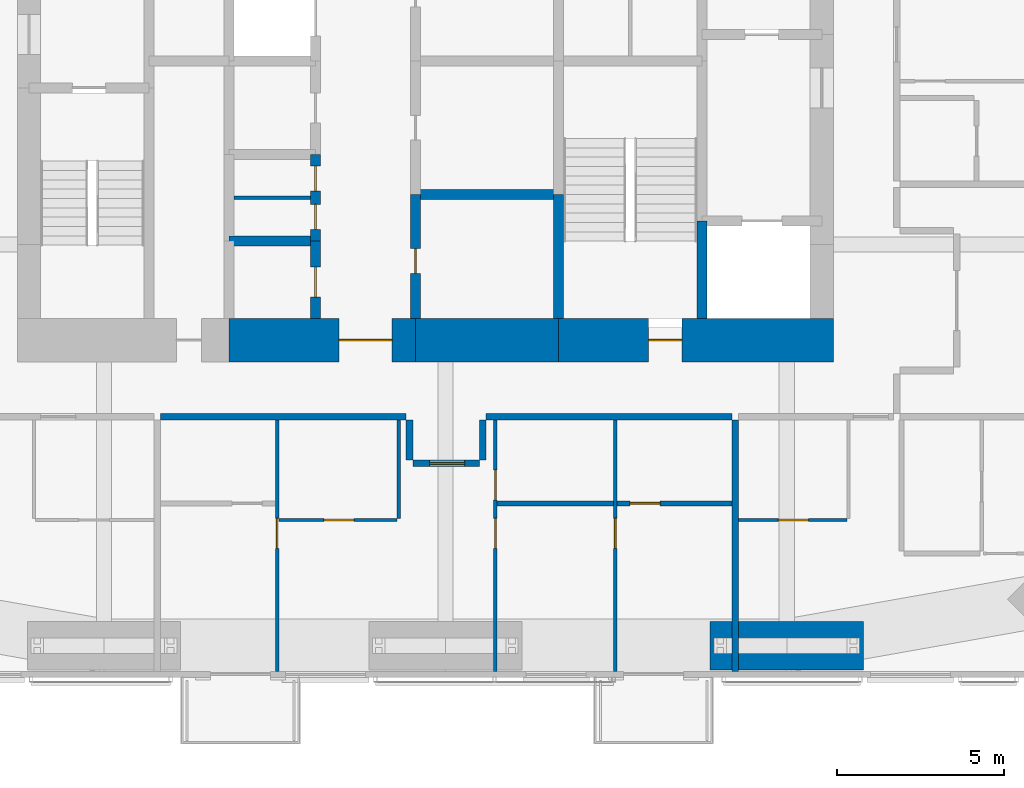
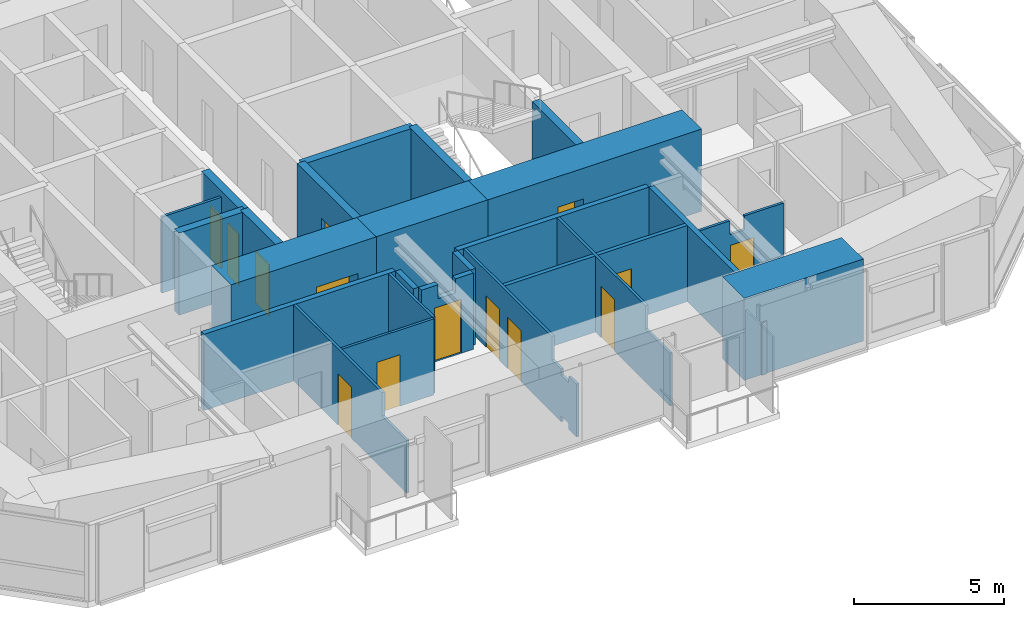
# One storey, part 16 of 22: 26 walls, 14 doors, 14 openings.
"""IFC4 building model written with IfcOpenShell, lengths in metres."""

from ifc_helpers import new_model, si_unit, direction, frame, frame_2d, origin, place, context, subcontext, project, spatial, polyline, rectangle, outline, extrude, material, layer, layer_set, constituent, constituent_set, type_object, element, fill, save


model = new_model("IFC4")

# Units and contexts
model_context = context("Model", 3, precision=1e-05, world=origin(), true_north=direction((0.0, 1.0)))
body_context = subcontext(model_context, "Body", "Model", "MODEL_VIEW")
ifc_project = project(units=[si_unit("LENGTHUNIT", "METRE"), si_unit("AREAUNIT", "SQUARE_METRE"), si_unit("VOLUMEUNIT", "CUBIC_METRE"), si_unit("PLANEANGLEUNIT", "RADIAN"), si_unit("MASSUNIT", "GRAM", prefix="KILO")], contexts=[model_context])

# Site, building, storey
site_placement = place(None, origin())
site = spatial("IfcSite", under=ifc_project, at=site_placement, CompositionType="ELEMENT")
building_placement = place(site_placement, origin())
building = spatial("IfcBuilding", under=site, at=building_placement, Name="Jalousie Tower", CompositionType="ELEMENT")
storey_placement = place(building_placement, frame((0.0, 0.0, 177.800048828125)))
storey = spatial("IfcBuildingStorey", under=building, at=storey_placement, Name="L48", CompositionType="ELEMENT", Elevation=177.800048828125)

# Wall
ifc_material_1 = material(Name="Concrete block ASTM C90", Category="concrete")
ifc_constituent_1 = constituent(ifc_material_1, Name="Body")
ifc_material_2 = material(Name="Render")
ifc_constituent_2 = constituent(ifc_material_2, Name="Finish")
ifc_constituent_set_1 = constituent_set(constituents=[ifc_constituent_1, ifc_constituent_2])
wall_type_1 = type_object("IfcWallType", Name="BATHROOM WALL 150", PredefinedType="PLUMBINGWALL", material=ifc_constituent_set_1)
wall_1_placement = place(storey_placement, frame((34.050048828125, 5.22509765625, 0.0), z_axis=(0.0, 0.0, 1.0), x_axis=(1.0, 0.0, 0.0)))
element("IfcWall", 1, at=wall_1_placement, inside=storey, type_object=wall_type_1, Name="Bathroom Wall 150 L48", PredefinedType="PLUMBINGWALL", context=body_context, shape_type="SweptSolid", body=[
    extrude(rectangle(XDim=3.5, YDim=0.14990234375, at=frame_2d((1.75, 0.0))), origin(), (0.0, 0.0, 1.0), 3.10986328125),
])

# Wall, opening, door
wall_2_placement = place(storey_placement, frame((37.64990234375, 5.22509765625, 0.0), z_axis=(0.0, 0.0, 1.0), x_axis=(1.0, 0.0, 0.0)))
wall_2 = element("IfcWall", 2, at=wall_2_placement, inside=storey, type_object=wall_type_1, Name="Bathroom Wall 150 L48", PredefinedType="PLUMBINGWALL", context=body_context, shape_type="SweptSolid", body=[
    extrude(rectangle(XDim=3.4501953125, YDim=0.14990234375, at=frame_2d((1.72509765625, 0.0))), origin(), (0.0, 0.0, 1.0), 3.10986328125),
])
opening_1_placement = place(wall_2_placement, frame((0.39990234375, 0.0, 0.0)))
opening_1 = element("IfcOpeningElement", 3, at=opening_1_placement, cuts=wall_2, Name="Opening D3", PredefinedType="OPENING", context=body_context, shape_type="SweptSolid", body=[
    extrude(rectangle(XDim=0.89990234375, YDim=2.10009765625, at=frame_2d((0.449951171875, 1.050048828125))), frame((0.0, 0.0849609375, 0.0), z_axis=(0.0, -1.0, 0.0), x_axis=(1.0, 0.0, 0.0)), (0.0, 0.0, 1.0), 0.169921875),
])
ifc_material_3 = material(Name="Timber door", Category="wood")
door_type_1 = type_object("IfcDoorType", Name="BATHROOM DOOR 900", OperationType="SINGLE_SWING_LEFT", PredefinedType="DOOR", material=ifc_material_3)
door_1_placement = place(opening_1_placement, origin())
door_1 = element("IfcDoor", 4, at=door_1_placement, inside=storey, type_object=door_type_1, Name="Apartment 4802 bedroom 3 bathroom door", OperationType="SINGLE_SWING_LEFT", OverallHeight=2.10009765625, OverallWidth=0.89990234375, PredefinedType="DOOR", context=body_context, shape_type="SweptSolid", body=[
    extrude(rectangle(XDim=0.89990234375, YDim=2.10009765625, at=frame_2d((0.449951171875, 1.050048828125))), frame((0.0, 0.02490234375, 0.0), z_axis=(0.0, -1.0, 0.0), x_axis=(1.0, 0.0, 0.0)), (0.0, 0.0, 1.0), 0.050048828125),
])
fill(opening_1, door_1)

ifc_material_4 = material(Name="Concrete f'c 120 MPa", Category="concrete")
ifc_layer_1 = layer(ifc_material_4, 1.300048828125)
ifc_layer_set_1 = layer_set([ifc_layer_1], Name="Concrete f'c 120 MPa")
wall_type_2 = type_object("IfcWallType", Name="CORE WALL 1300", PredefinedType="SHEAR", material=ifc_layer_set_1)
wall_3_placement = place(storey_placement, frame((26.0, 10.125, 0.0), z_axis=(0.0, 0.0, 1.0), x_axis=(1.0, 0.0, 0.0)))
wall_3 = element("IfcWall", 5, at=wall_3_placement, inside=storey, type_object=wall_type_2, Name="Core wall SB L48", PredefinedType="SHEAR", context=body_context, shape_type="SweptSolid", body=[
    extrude(rectangle(XDim=5.60009765625, YDim=1.300048828125, at=frame_2d((2.800048828125, 0.0))), origin(), (0.0, 0.0, 1.0), 3.349853515625),
])
opening_2_placement = place(wall_3_placement, frame((3.300048828125, 0.0, 0.0)))
opening_2 = element("IfcOpeningElement", 6, at=opening_2_placement, cuts=wall_3, Name="Opening D15", PredefinedType="OPENING", context=body_context, shape_type="SweptSolid", body=[
    extrude(rectangle(XDim=1.60009765625, YDim=2.10009765625, at=frame_2d((0.800048828125, 1.050048828125))), frame((0.0, 0.659912109375, 0.0), z_axis=(0.0, -1.0, 0.0), x_axis=(1.0, 0.0, 0.0)), (0.0, 0.0, 1.0), 1.320068359375),
])
ifc_material_5 = material(Name="Steel fire door", Category="steel")
door_type_2 = type_object("IfcDoorType", Name="LIFT LOBBY DOOR 1600", OperationType="DOUBLE_DOOR_SINGLE_SWING", PredefinedType="DOOR", material=ifc_material_5)
door_2_placement = place(opening_2_placement, origin())
door_2 = element("IfcDoor", 7, at=door_2_placement, inside=storey, type_object=door_type_2, Name="Lift lobby south door", OperationType="DOUBLE_DOOR_SINGLE_SWING", OverallHeight=2.10009765625, OverallWidth=1.60009765625, PredefinedType="DOOR", context=body_context, shape_type="SweptSolid", body=[
    extrude(rectangle(XDim=1.60009765625, YDim=2.10009765625, at=frame_2d((0.800048828125, 1.050048828125))), frame((0.0, 0.02490234375, 0.0), z_axis=(0.0, -1.0, 0.0), x_axis=(1.0, 0.0, 0.0)), (0.0, 0.0, 1.0), 0.050048828125),
])
fill(opening_2, door_2)

# Wall
wall_4_placement = place(storey_placement, frame((31.60009765625, 10.125, 0.0), z_axis=(0.0, 0.0, 1.0), x_axis=(1.0, 0.0, 0.0)))
element("IfcWall", 8, at=wall_4_placement, inside=storey, type_object=wall_type_2, Name="Core wall SC L48", PredefinedType="SHEAR", context=body_context, shape_type="SweptSolid", body=[
    extrude(rectangle(XDim=4.2998046875, YDim=1.300048828125, at=frame_2d((2.14990234375, 0.0))), origin(), (0.0, 0.0, 1.0), 3.349853515625),
])

# Wall, opening, door
wall_5_placement = place(storey_placement, frame((35.89990234375, 10.125, 0.0), z_axis=(0.0, 0.0, 1.0), x_axis=(1.0, 0.0, 0.0)))
wall_5 = element("IfcWall", 9, at=wall_5_placement, inside=storey, type_object=wall_type_2, Name="Core wall SD L48", PredefinedType="SHEAR", context=body_context, shape_type="SweptSolid", body=[
    extrude(rectangle(XDim=8.25, YDim=1.300048828125, at=frame_2d((4.125, 0.0))), origin(), (0.0, 0.0, 1.0), 3.349853515625),
])
opening_3_placement = place(wall_5_placement, frame((2.699951171875, 0.0, 0.0)))
opening_3 = element("IfcOpeningElement", 10, at=opening_3_placement, cuts=wall_5, Name="Opening D10", PredefinedType="OPENING", context=body_context, shape_type="SweptSolid", body=[
    extrude(rectangle(XDim=1.0, YDim=2.10009765625, at=frame_2d((0.5, 1.050048828125))), frame((0.0, 0.659912109375, 0.0), z_axis=(0.0, -1.0, 0.0), x_axis=(1.0, 0.0, 0.0)), (0.0, 0.0, 1.0), 1.320068359375),
])
ifc_material_6 = material(Name="Steel fire door", Category="steel")
door_type_3 = type_object("IfcDoorType", Name="STAIR DOOR 1000", OperationType="SINGLE_SWING_LEFT", PredefinedType="DOOR", material=ifc_material_6)
door_3_placement = place(opening_3_placement, origin())
door_3 = element("IfcDoor", 11, at=door_3_placement, inside=storey, type_object=door_type_3, Name="Exit stair C door", OperationType="SINGLE_SWING_RIGHT", OverallHeight=2.10009765625, OverallWidth=1.0, PredefinedType="DOOR", context=body_context, shape_type="SweptSolid", body=[
    extrude(rectangle(XDim=1.0, YDim=2.10009765625, at=frame_2d((0.5, 1.050048828125))), frame((0.0, 0.02490234375, 0.0), z_axis=(0.0, -1.0, 0.0), x_axis=(1.0, 0.0, 0.0)), (0.0, 0.0, 1.0), 0.050048828125),
])
fill(opening_3, door_3)

ifc_material_7 = material(Name="Concrete f'c 120 MPa", Category="concrete")
ifc_layer_2 = layer(ifc_material_7, 0.300048828125)
ifc_layer_set_2 = layer_set([ifc_layer_2], Name="Concrete f'c 120 MPa")
wall_type_3 = type_object("IfcWallType", Name="CORE WALL 300", PredefinedType="SHEAR", material=ifc_layer_set_2)
wall_6_placement = place(storey_placement, frame((28.60009765625, 10.77490234375, 0.0), z_axis=(0.0, 0.0, 1.0), x_axis=(0.0, 1.0, 0.0)))
wall_6 = element("IfcWall", 12, at=wall_6_placement, inside=storey, type_object=wall_type_3, Name="Core wall X28.6A L48", PredefinedType="SHEAR", context=body_context, shape_type="SweptSolid", body=[
    extrude(rectangle(XDim=2.3251953125, YDim=0.300048828125, at=frame_2d((1.16259765625, 0.0))), origin(), (0.0, 0.0, 1.0), 3.349853515625),
])
opening_4_placement = place(wall_6_placement, frame((0.637451171875, 0.0, 0.0)))
opening_4 = element("IfcOpeningElement", 13, at=opening_4_placement, cuts=wall_6, Name="Opening D24", PredefinedType="OPENING", context=body_context, shape_type="SweptSolid", body=[
    extrude(rectangle(XDim=0.89990234375, YDim=2.10009765625, at=frame_2d((0.449951171875, 1.050048828125))), frame((0.0, 0.159912109375, 0.0), z_axis=(0.0, -1.0, 0.0), x_axis=(1.0, 0.0, 0.0)), (0.0, 0.0, 1.0), 0.320068359375),
])
ifc_material_8 = material(Name="Steel fire door", Category="steel")
door_type_4 = type_object("IfcDoorType", Name="CORE ROOM DOOR 900", OperationType="SINGLE_SWING_LEFT", PredefinedType="DOOR", material=ifc_material_8)
door_4_placement = place(opening_4_placement, origin())
door_4 = element("IfcDoor", 14, at=door_4_placement, inside=storey, type_object=door_type_4, Name="Housekeeping store door", OperationType="SINGLE_SWING_RIGHT", OverallHeight=2.10009765625, OverallWidth=0.89990234375, PredefinedType="DOOR", context=body_context, shape_type="SweptSolid", body=[
    extrude(rectangle(XDim=0.89990234375, YDim=2.10009765625, at=frame_2d((0.449951171875, 1.050048828125))), frame((0.0, 0.02490234375, 0.0), z_axis=(0.0, -1.0, 0.0), x_axis=(1.0, 0.0, 0.0)), (0.0, 0.0, 1.0), 0.050048828125),
])
fill(opening_4, door_4)

# Wall, openings, doors
wall_7_placement = place(storey_placement, frame((28.60009765625, 13.10009765625, 0.0), z_axis=(0.0, 0.0, 1.0), x_axis=(0.0, 1.0, 0.0)))
wall_7 = element("IfcWall", 15, at=wall_7_placement, inside=storey, type_object=wall_type_3, Name="Core wall X28.6B L48", PredefinedType="SHEAR", context=body_context, shape_type="SweptSolid", body=[
    extrude(rectangle(XDim=2.599853515625, YDim=0.300048828125, at=frame_2d((1.2998046875, 0.0))), origin(), (0.0, 0.0, 1.0), 3.349853515625),
])
opening_5_placement = place(wall_7_placement, frame((0.35009765625, 0.0, 0.0)))
opening_5 = element("IfcOpeningElement", 16, at=opening_5_placement, cuts=wall_7, Name="Opening D27", PredefinedType="OPENING", context=body_context, shape_type="SweptSolid", body=[
    extrude(rectangle(XDim=0.75, YDim=2.10009765625, at=frame_2d((0.375, 1.050048828125))), frame((0.0, 0.159912109375, 0.0), z_axis=(0.0, -1.0, 0.0), x_axis=(1.0, 0.0, 0.0)), (0.0, 0.0, 1.0), 0.320068359375),
])
opening_6_placement = place(wall_7_placement, frame((1.5, 0.0, 0.0)))
opening_6 = element("IfcOpeningElement", 17, at=opening_6_placement, cuts=wall_7, Name="Opening D27", PredefinedType="OPENING", context=body_context, shape_type="SweptSolid", body=[
    extrude(rectangle(XDim=0.75, YDim=2.10009765625, at=frame_2d((0.375, 1.050048828125))), frame((0.0, 0.159912109375, 0.0), z_axis=(0.0, -1.0, 0.0), x_axis=(1.0, 0.0, 0.0)), (0.0, 0.0, 1.0), 0.320068359375),
])
ifc_material_9 = material(Name="Steel fire door", Category="steel")
door_type_5 = type_object("IfcDoorType", Name="CORE ROOM DOOR 750", OperationType="SINGLE_SWING_LEFT", PredefinedType="DOOR", material=ifc_material_9)
door_5_placement = place(opening_5_placement, origin())
door_5 = element("IfcDoor", 18, at=door_5_placement, inside=storey, type_object=door_type_5, Name="Staff WC door", OperationType="SINGLE_SWING_RIGHT", OverallHeight=2.10009765625, OverallWidth=0.75, PredefinedType="DOOR", context=body_context, shape_type="SweptSolid", body=[
    extrude(rectangle(XDim=0.75, YDim=2.10009765625, at=frame_2d((0.375, 1.050048828125))), frame((0.0, 0.02490234375, 0.0), z_axis=(0.0, -1.0, 0.0), x_axis=(1.0, 0.0, 0.0)), (0.0, 0.0, 1.0), 0.050048828125),
])
fill(opening_5, door_5)
door_6_placement = place(opening_6_placement, origin())
door_6 = element("IfcDoor", 19, at=door_6_placement, inside=storey, type_object=door_type_5, Name="Store door", OperationType="SINGLE_SWING_LEFT", OverallHeight=2.10009765625, OverallWidth=0.75, PredefinedType="DOOR", context=body_context, shape_type="SweptSolid", body=[
    extrude(rectangle(XDim=0.75, YDim=2.10009765625, at=frame_2d((0.375, 1.050048828125))), frame((0.0, 0.02490234375, 0.0), z_axis=(0.0, -1.0, 0.0), x_axis=(1.0, 0.0, 0.0)), (0.0, 0.0, 1.0), 0.050048828125),
])
fill(opening_6, door_6)

# Wall, opening, door
wall_8_placement = place(storey_placement, frame((31.60009765625, 10.77490234375, 0.0), z_axis=(0.0, 0.0, 1.0), x_axis=(0.0, 1.0, 0.0)))
wall_8 = element("IfcWall", 20, at=wall_8_placement, inside=storey, type_object=wall_type_3, Name="Core wall X31.6A L48", PredefinedType="SHEAR", context=body_context, shape_type="SweptSolid", body=[
    extrude(rectangle(XDim=3.72509765625, YDim=0.300048828125, at=frame_2d((1.862548828125, 0.0))), origin(), (0.0, 0.0, 1.0), 3.349853515625),
])
opening_7_placement = place(wall_8_placement, frame((1.35009765625, 0.0, 0.0)))
opening_7 = element("IfcOpeningElement", 21, at=opening_7_placement, cuts=wall_8, Name="Opening D16", PredefinedType="OPENING", context=body_context, shape_type="SweptSolid", body=[
    extrude(rectangle(XDim=0.75, YDim=2.10009765625, at=frame_2d((0.375, 1.050048828125))), frame((0.0, 0.159912109375, 0.0), z_axis=(0.0, -1.0, 0.0), x_axis=(1.0, 0.0, 0.0)), (0.0, 0.0, 1.0), 0.320068359375),
])
ifc_material_10 = material(Name="Steel fire door", Category="steel")
door_type_6 = type_object("IfcDoorType", Name="RISER DOOR 750", OperationType="SINGLE_SWING_LEFT", PredefinedType="DOOR", material=ifc_material_10)
door_7_placement = place(opening_7_placement, frame((0.75, 0.0, 0.0), z_axis=(0.0, 0.0, 1.0), x_axis=(-1.0, 0.0, 0.0)))
door_7 = element("IfcDoor", 22, at=door_7_placement, inside=storey, type_object=door_type_6, Name="Refuse Room door", OperationType="SINGLE_SWING_RIGHT", OverallHeight=2.10009765625, OverallWidth=0.75, PredefinedType="DOOR", context=body_context, shape_type="SweptSolid", body=[
    extrude(rectangle(XDim=0.75, YDim=2.10009765625, at=frame_2d((0.375, 1.050048828125))), frame((0.0, 0.02490234375, 0.0), z_axis=(0.0, -1.0, 0.0), x_axis=(1.0, 0.0, 0.0)), (0.0, 0.0, 1.0), 0.050048828125),
])
fill(opening_7, door_7)

# Walls
wall_9_placement = place(storey_placement, frame((35.89990234375, 10.77490234375, 0.0), z_axis=(0.0, 0.0, 1.0), x_axis=(0.0, 1.0, 0.0)))
element("IfcWall", 23, at=wall_9_placement, inside=storey, type_object=wall_type_3, Name="Core wall X35.9A L48", PredefinedType="SHEAR", context=body_context, shape_type="SweptSolid", body=[
    extrude(rectangle(XDim=3.72509765625, YDim=0.300048828125, at=frame_2d((1.862548828125, 0.0))), origin(), (0.0, 0.0, 1.0), 3.349853515625),
])
wall_10_placement = place(storey_placement, frame((40.199951171875, 10.77490234375, 0.0), z_axis=(0.0, 0.0, 1.0), x_axis=(0.0, 1.0, 0.0)))
element("IfcWall", 24, at=wall_10_placement, inside=storey, type_object=wall_type_3, Name="Core wall X40.2A L48", PredefinedType="SHEAR", context=body_context, shape_type="SweptSolid", body=[
    extrude(rectangle(XDim=2.925048828125, YDim=0.300048828125, at=frame_2d((1.46240234375, 0.0))), origin(), (0.0, 0.0, 1.0), 3.349853515625),
])
wall_11_placement = place(storey_placement, frame((26.0, 13.10009765625, 0.0), z_axis=(0.0, 0.0, 1.0), x_axis=(1.0, 0.0, 0.0)))
element("IfcWall", 25, at=wall_11_placement, inside=storey, type_object=wall_type_3, Name="Core wall Y26-13.1 L48", PredefinedType="SHEAR", context=body_context, shape_type="SweptSolid", body=[
    extrude(rectangle(XDim=2.60009765625, YDim=0.300048828125, at=frame_2d((1.300048828125, 0.0))), origin(), (0.0, 0.0, 1.0), 3.349853515625),
])
wall_12_placement = place(storey_placement, frame((31.60009765625, 14.5, 0.0), z_axis=(0.0, 0.0, 1.0), x_axis=(1.0, 0.0, 0.0)))
element("IfcWall", 26, at=wall_12_placement, inside=storey, type_object=wall_type_3, Name="Core wall Y31.6-14.5 L48", PredefinedType="SHEAR", context=body_context, shape_type="SweptSolid", body=[
    extrude(rectangle(XDim=4.2998046875, YDim=0.300048828125, at=frame_2d((2.14990234375, 0.0))), origin(), (0.0, 0.0, 1.0), 3.349853515625),
])
ifc_material_11 = material(Name="Concrete block ASTM C90", Category="concrete")
ifc_constituent_3 = constituent(ifc_material_11, Name="Body")
ifc_material_12 = material(Name="Render")
ifc_constituent_4 = constituent(ifc_material_12, Name="Finish")
ifc_constituent_set_2 = constituent_set(constituents=[ifc_constituent_3, ifc_constituent_4])
wall_type_4 = type_object("IfcWallType", Name="CORRIDOR WALL 200", PredefinedType="PARTITIONING", material=ifc_constituent_set_2)
for number, where, z_axis, x_axis, name in (
    (27, (23.949951171875, 7.824951171875, 0.0), (0.0, 0.0, 1.0), (1.0, 0.0, 0.0), "Corridor Wall 200 L48"),
    (28, (33.72509765625, 7.824951171875, 0.0), (0.0, 0.0, 1.0), (1.0, 0.0, 0.0), "Corridor Wall 200 L48"),
):
    element("IfcWall", number, at=place(storey_placement, frame(where, z_axis=z_axis, x_axis=x_axis)), inside=storey, type_object=wall_type_4, Name=name, PredefinedType="PARTITIONING", context=body_context, shape_type="SweptSolid", body=[
        extrude(rectangle(XDim=7.375, YDim=0.199951171875, at=frame_2d((3.6875, 0.0))), origin(), (0.0, 0.0, 1.0), 3.10986328125),
    ])

# Wall, opening, door
wall_13_placement = place(storey_placement, frame((31.52490234375, 6.425048828125, 0.0), z_axis=(0.0, 0.0, 1.0), x_axis=(1.0, 0.0, 0.0)))
wall_13 = element("IfcWall", 29, at=wall_13_placement, inside=storey, type_object=wall_type_4, Name="Corridor Wall 200 L48", PredefinedType="PARTITIONING", context=body_context, shape_type="SweptSolid", body=[
    extrude(outline(polyline([(0.0, 0.0), (2.0, 0.0), (2.0, 3.10986328125), (1.312255859375, 3.10986328125), (1.312255859375, 2.541015625), (0.6376953125, 2.541015625), (0.6376953125, 3.10986328125), (0.0, 3.10986328125), (0.0, 0.0)])), frame((0.0, 0.10009765625, 0.0), z_axis=(0.0, -1.0, 0.0), x_axis=(1.0, 0.0, 0.0)), (0.0, 0.0, 1.0), 0.199951171875),
])
opening_8_placement = place(wall_13_placement, frame((0.5, 0.0, 0.0)))
opening_8 = element("IfcOpeningElement", 30, at=opening_8_placement, cuts=wall_13, Name="Opening D1", PredefinedType="OPENING", context=body_context, shape_type="SweptSolid", body=[
    extrude(rectangle(XDim=1.050048828125, YDim=2.199951171875, at=frame_2d((0.52490234375, 1.10009765625))), frame((0.0, 0.10986328125, 0.0), z_axis=(0.0, -1.0, 0.0), x_axis=(1.0, 0.0, 0.0)), (0.0, 0.0, 1.0), 0.219970703125),
])
ifc_material_13 = material(Name="Timber fire door", Category="wood")
door_type_7 = type_object("IfcDoorType", Name="APARTMENT ENTRANCE DOOR 1050", OperationType="SINGLE_SWING_LEFT", PredefinedType="DOOR", material=ifc_material_13)
door_8_placement = place(opening_8_placement, frame((1.050048828125, 0.0, 0.0), z_axis=(0.0, 0.0, 1.0), x_axis=(-1.0, 0.0, 0.0)))
door_8 = element("IfcDoor", 31, at=door_8_placement, inside=storey, type_object=door_type_7, Name="Apartment 4802 entrance", OperationType="SINGLE_SWING_RIGHT", OverallHeight=2.199951171875, OverallWidth=1.050048828125, PredefinedType="DOOR", context=body_context, shape_type="SweptSolid", body=[
    extrude(rectangle(XDim=1.050048828125, YDim=2.199951171875, at=frame_2d((0.52490234375, 1.10009765625))), frame((0.0, 0.02490234375, 0.0), z_axis=(0.0, -1.0, 0.0), x_axis=(1.0, 0.0, 0.0)), (0.0, 0.0, 1.0), 0.050048828125),
])
fill(opening_8, door_8)

# Walls
for number, where, z_axis, x_axis, name in (
    (32, (31.425048828125, 7.72509765625, 0.0), (0.0, 0.0, 1.0), (0.0, -1.0, 0.0), "Corridor Wall 200 L48"),
    (33, (33.625, 7.72509765625, 0.0), (0.0, 0.0, 1.0), (0.0, -1.0, 0.0), "Corridor Wall 200 L48"),
):
    element("IfcWall", number, at=place(storey_placement, frame(where, z_axis=z_axis, x_axis=x_axis)), inside=storey, type_object=wall_type_4, Name=name, PredefinedType="PARTITIONING", context=body_context, shape_type="SweptSolid", body=[
        extrude(rectangle(XDim=1.2001953125, YDim=0.199951171875, at=frame_2d((0.60009765625, 0.0))), origin(), (0.0, 0.0, 1.0), 3.10986328125),
    ])

# Wall, opening, door
ifc_material_14 = material(Name="Gypsum board", Category="gypsum")
ifc_constituent_5 = constituent(ifc_material_14, Name="Body")
ifc_material_15 = material(Name="Light-gauge steel studs ASTM A653 SS Grade 33", Category="steel")
ifc_constituent_6 = constituent(ifc_material_15, Name="Framing")
ifc_constituent_set_3 = constituent_set(constituents=[ifc_constituent_5, ifc_constituent_6])
wall_type_5 = type_object("IfcWallType", Name="PARTITION 100", PredefinedType="PARTITIONING", material=ifc_constituent_set_3)
wall_14_placement = place(storey_placement, frame((27.449951171875, 0.175048828125, 0.0), z_axis=(0.0, 0.0, 1.0), x_axis=(0.0, 1.0, 0.0)))
wall_14 = element("IfcWall", 34, at=wall_14_placement, inside=storey, type_object=wall_type_5, Name="Partition 100 L48", PredefinedType="PARTITIONING", context=body_context, shape_type="SweptSolid", body=[
    extrude(outline(polyline([(0.0, 0.0), (7.550048828125, 0.0), (7.550048828125, 3.10986328125), (1.635009765625, 3.10986328125), (1.635009765625, 2.14990234375), (0.0, 2.14990234375), (0.0, 3.10986328125), (0.0, 0.0)])), frame((0.0, 0.050048828125, 0.0), z_axis=(0.0, -1.0, 0.0), x_axis=(1.0, 0.0, 0.0)), (0.0, 0.0, 1.0), 0.10009765625),
])
opening_9_placement = place(wall_14_placement, frame((3.699951171875, 0.0, 0.0)))
opening_9 = element("IfcOpeningElement", 35, at=opening_9_placement, cuts=wall_14, Name="Opening D2", PredefinedType="OPENING", context=body_context, shape_type="SweptSolid", body=[
    extrude(rectangle(XDim=0.89990234375, YDim=2.10009765625, at=frame_2d((0.449951171875, 1.050048828125))), frame((0.0, 0.06005859375, 0.0), z_axis=(0.0, -1.0, 0.0), x_axis=(1.0, 0.0, 0.0)), (0.0, 0.0, 1.0), 0.1201171875),
])
ifc_material_16 = material(Name="Timber door", Category="wood")
door_type_8 = type_object("IfcDoorType", Name="BEDROOM DOOR 900", OperationType="SINGLE_SWING_LEFT", PredefinedType="DOOR", material=ifc_material_16)
door_9_placement = place(opening_9_placement, origin())
door_9 = element("IfcDoor", 36, at=door_9_placement, inside=storey, type_object=door_type_8, Name="Apartment 4802 bedroom 1 door", OperationType="SINGLE_SWING_RIGHT", OverallHeight=2.10009765625, OverallWidth=0.89990234375, PredefinedType="DOOR", context=body_context, shape_type="SweptSolid", body=[
    extrude(rectangle(XDim=0.89990234375, YDim=2.10009765625, at=frame_2d((0.449951171875, 1.050048828125))), frame((0.0, 0.02490234375, 0.0), z_axis=(0.0, -1.0, 0.0), x_axis=(1.0, 0.0, 0.0)), (0.0, 0.0, 1.0), 0.050048828125),
])
fill(opening_9, door_9)

# Wall, openings, doors
wall_15_placement = place(storey_placement, frame((34.0, 0.175048828125, 0.0), z_axis=(0.0, 0.0, 1.0), x_axis=(0.0, 1.0, 0.0)))
wall_15 = element("IfcWall", 37, at=wall_15_placement, inside=storey, type_object=wall_type_5, Name="Partition 100 L48", PredefinedType="PARTITIONING", context=body_context, shape_type="SweptSolid", body=[
    extrude(outline(polyline([(0.52880859375, 2.14990234375), (0.0, 2.14990234375), (0.0, 0.0), (0.52880859375, 0.0), (0.52880859375, 0.248291015625), (1.021240234375, 0.248291015625), (1.021240234375, 0.0), (7.550048828125, 0.0), (7.550048828125, 3.10986328125), (1.635009765625, 3.10986328125), (1.635009765625, 2.14990234375), (1.021240234375, 2.14990234375), (1.021240234375, 1.901611328125), (0.52880859375, 1.901611328125), (0.52880859375, 2.14990234375)])), frame((0.0, 0.050048828125, 0.0), z_axis=(0.0, -1.0, 0.0), x_axis=(1.0, 0.0, 0.0)), (0.0, 0.0, 1.0), 0.10009765625),
])
opening_10_placement = place(wall_15_placement, frame((3.699951171875, 0.0, 0.0)))
opening_10 = element("IfcOpeningElement", 38, at=opening_10_placement, cuts=wall_15, Name="Opening D2", PredefinedType="OPENING", context=body_context, shape_type="SweptSolid", body=[
    extrude(rectangle(XDim=0.89990234375, YDim=2.10009765625, at=frame_2d((0.449951171875, 1.050048828125))), frame((0.0, 0.06005859375, 0.0), z_axis=(0.0, -1.0, 0.0), x_axis=(1.0, 0.0, 0.0)), (0.0, 0.0, 1.0), 0.1201171875),
])
opening_11_placement = place(wall_15_placement, frame((5.14990234375, 0.0, 0.0)))
opening_11 = element("IfcOpeningElement", 39, at=opening_11_placement, cuts=wall_15, Name="Opening D7", PredefinedType="OPENING", context=body_context, shape_type="SweptSolid", body=[
    extrude(rectangle(XDim=0.89990234375, YDim=2.10009765625, at=frame_2d((0.449951171875, 1.050048828125))), frame((0.0, 0.06005859375, 0.0), z_axis=(0.0, -1.0, 0.0), x_axis=(1.0, 0.0, 0.0)), (0.0, 0.0, 1.0), 0.1201171875),
])
door_10_placement = place(opening_10_placement, frame((0.89990234375, 0.0, 0.0), z_axis=(0.0, 0.0, 1.0), x_axis=(-1.0, 0.0, 0.0)))
door_10 = element("IfcDoor", 40, at=door_10_placement, inside=storey, type_object=door_type_8, Name="Apartment 4802 bedroom 2 door", OperationType="SINGLE_SWING_LEFT", OverallHeight=2.10009765625, OverallWidth=0.89990234375, PredefinedType="DOOR", context=body_context, shape_type="SweptSolid", body=[
    extrude(rectangle(XDim=0.89990234375, YDim=2.10009765625, at=frame_2d((0.449951171875, 1.050048828125))), frame((0.0, 0.02490234375, 0.0), z_axis=(0.0, -1.0, 0.0), x_axis=(1.0, 0.0, 0.0)), (0.0, 0.0, 1.0), 0.050048828125),
])
fill(opening_10, door_10)
ifc_material_17 = material(Name="Timber door", Category="wood")
door_type_9 = type_object("IfcDoorType", Name="INTERNAL DOOR 900", OperationType="SINGLE_SWING_LEFT", PredefinedType="DOOR", material=ifc_material_17)
door_11_placement = place(opening_11_placement, frame((0.89990234375, 0.0, 0.0), z_axis=(0.0, 0.0, 1.0), x_axis=(-1.0, 0.0, 0.0)))
door_11 = element("IfcDoor", 41, at=door_11_placement, inside=storey, type_object=door_type_9, Name="Apartment 4802 bathroom door", OperationType="SINGLE_SWING_RIGHT", OverallHeight=2.10009765625, OverallWidth=0.89990234375, PredefinedType="DOOR", context=body_context, shape_type="SweptSolid", body=[
    extrude(rectangle(XDim=0.89990234375, YDim=2.10009765625, at=frame_2d((0.449951171875, 1.050048828125))), frame((0.0, 0.02490234375, 0.0), z_axis=(0.0, -1.0, 0.0), x_axis=(1.0, 0.0, 0.0)), (0.0, 0.0, 1.0), 0.050048828125),
])
fill(opening_11, door_11)

# Wall, opening, door
wall_16_placement = place(storey_placement, frame((37.60009765625, 0.175048828125, 0.0), z_axis=(0.0, 0.0, 1.0), x_axis=(0.0, 1.0, 0.0)))
wall_16 = element("IfcWall", 42, at=wall_16_placement, inside=storey, type_object=wall_type_5, Name="Partition 100 L48", PredefinedType="PARTITIONING", context=body_context, shape_type="SweptSolid", body=[
    extrude(outline(polyline([(0.0, 0.0), (7.550048828125, 0.0), (7.550048828125, 3.10986328125), (1.635009765625, 3.10986328125), (1.635009765625, 2.14990234375), (0.0, 2.14990234375), (0.0, 3.10986328125), (0.0, 0.0)])), frame((0.0, 0.050048828125, 0.0), z_axis=(0.0, -1.0, 0.0), x_axis=(1.0, 0.0, 0.0)), (0.0, 0.0, 1.0), 0.10009765625),
])
opening_12_placement = place(wall_16_placement, frame((3.699951171875, 0.0, 0.0)))
opening_12 = element("IfcOpeningElement", 43, at=opening_12_placement, cuts=wall_16, Name="Opening D2", PredefinedType="OPENING", context=body_context, shape_type="SweptSolid", body=[
    extrude(rectangle(XDim=0.89990234375, YDim=2.10009765625, at=frame_2d((0.449951171875, 1.050048828125))), frame((0.0, 0.06005859375, 0.0), z_axis=(0.0, -1.0, 0.0), x_axis=(1.0, 0.0, 0.0)), (0.0, 0.0, 1.0), 0.1201171875),
])
door_12_placement = place(opening_12_placement, origin())
door_12 = element("IfcDoor", 44, at=door_12_placement, inside=storey, type_object=door_type_8, Name="Apartment 4802 bedroom 3 door", OperationType="SINGLE_SWING_RIGHT", OverallHeight=2.10009765625, OverallWidth=0.89990234375, PredefinedType="DOOR", context=body_context, shape_type="SweptSolid", body=[
    extrude(rectangle(XDim=0.89990234375, YDim=2.10009765625, at=frame_2d((0.449951171875, 1.050048828125))), frame((0.0, 0.02490234375, 0.0), z_axis=(0.0, -1.0, 0.0), x_axis=(1.0, 0.0, 0.0)), (0.0, 0.0, 1.0), 0.050048828125),
])
fill(opening_12, door_12)

wall_17_placement = place(storey_placement, frame((27.5, 4.72509765625, 0.0), z_axis=(0.0, 0.0, 1.0), x_axis=(1.0, 0.0, 0.0)))
wall_17 = element("IfcWall", 45, at=wall_17_placement, inside=storey, type_object=wall_type_5, Name="Partition 100 L48", PredefinedType="PARTITIONING", context=body_context, shape_type="SweptSolid", body=[
    extrude(rectangle(XDim=3.550048828125, YDim=0.10009765625, at=frame_2d((1.77490234375, 0.0))), origin(), (0.0, 0.0, 1.0), 3.10986328125),
])
opening_13_placement = place(wall_17_placement, frame((1.35009765625, 0.0, 0.0)))
opening_13 = element("IfcOpeningElement", 46, at=opening_13_placement, cuts=wall_17, Name="Opening D7", PredefinedType="OPENING", context=body_context, shape_type="SweptSolid", body=[
    extrude(rectangle(XDim=0.89990234375, YDim=2.10009765625, at=frame_2d((0.449951171875, 1.050048828125))), frame((0.0, 0.06005859375, 0.0), z_axis=(0.0, -1.0, 0.0), x_axis=(1.0, 0.0, 0.0)), (0.0, 0.0, 1.0), 0.1201171875),
])
door_13_placement = place(opening_13_placement, frame((0.89990234375, 0.0, 0.0), z_axis=(0.0, 0.0, 1.0), x_axis=(-1.0, 0.0, 0.0)))
door_13 = element("IfcDoor", 47, at=door_13_placement, inside=storey, type_object=door_type_9, Name="Apartment 4802 kitchen door", OperationType="SINGLE_SWING_RIGHT", OverallHeight=2.10009765625, OverallWidth=0.89990234375, PredefinedType="DOOR", context=body_context, shape_type="SweptSolid", body=[
    extrude(rectangle(XDim=0.89990234375, YDim=2.10009765625, at=frame_2d((0.449951171875, 1.050048828125))), frame((0.0, 0.02490234375, 0.0), z_axis=(0.0, -1.0, 0.0), x_axis=(1.0, 0.0, 0.0)), (0.0, 0.0, 1.0), 0.050048828125),
])
fill(opening_13, door_13)

# Wall
wall_18_placement = place(storey_placement, frame((31.10009765625, 4.77490234375, 0.0), z_axis=(0.0, 0.0, 1.0), x_axis=(0.0, 1.0, 0.0)))
element("IfcWall", 48, at=wall_18_placement, inside=storey, type_object=wall_type_5, Name="Partition 100 L48", PredefinedType="PARTITIONING", context=body_context, shape_type="SweptSolid", body=[
    extrude(rectangle(XDim=2.9501953125, YDim=0.10009765625, at=frame_2d((1.47509765625, 0.0))), origin(), (0.0, 0.0, 1.0), 3.10986328125),
])

# Wall, opening, door
wall_19_placement = place(storey_placement, frame((41.300048828125, 4.72509765625, 0.0), z_axis=(0.0, 0.0, 1.0), x_axis=(1.0, 0.0, 0.0)))
wall_19 = element("IfcWall", 49, at=wall_19_placement, inside=storey, type_object=wall_type_5, Name="Partition 100 L48", PredefinedType="PARTITIONING", context=body_context, shape_type="SweptSolid", body=[
    extrude(outline(polyline([(0.0, 0.0), (3.25, 0.0), (3.25, 3.10986328125), (1.7373046875, 3.10986328125), (1.7373046875, 2.541015625), (1.16259765625, 2.541015625), (1.16259765625, 3.10986328125), (0.0, 3.10986328125), (0.0, 0.0)])), frame((0.0, 0.050048828125, 0.0), z_axis=(0.0, -1.0, 0.0), x_axis=(1.0, 0.0, 0.0)), (0.0, 0.0, 1.0), 0.10009765625),
])
opening_14_placement = place(wall_19_placement, frame((1.199951171875, 0.0, 0.0)))
opening_14 = element("IfcOpeningElement", 50, at=opening_14_placement, cuts=wall_19, Name="Opening D7", PredefinedType="OPENING", context=body_context, shape_type="SweptSolid", body=[
    extrude(rectangle(XDim=0.89990234375, YDim=2.10009765625, at=frame_2d((0.449951171875, 1.050048828125))), frame((0.0, 0.06005859375, 0.0), z_axis=(0.0, -1.0, 0.0), x_axis=(1.0, 0.0, 0.0)), (0.0, 0.0, 1.0), 0.1201171875),
])
door_14_placement = place(opening_14_placement, frame((0.89990234375, 0.0, 0.0), z_axis=(0.0, 0.0, 1.0), x_axis=(-1.0, 0.0, 0.0)))
door_14 = element("IfcDoor", 51, at=door_14_placement, inside=storey, type_object=door_type_9, Name="Apartment 4803 kitchen door", OperationType="SINGLE_SWING_RIGHT", OverallHeight=2.10009765625, OverallWidth=0.89990234375, PredefinedType="DOOR", context=body_context, shape_type="SweptSolid", body=[
    extrude(rectangle(XDim=0.89990234375, YDim=2.10009765625, at=frame_2d((0.449951171875, 1.050048828125))), frame((0.0, 0.02490234375, 0.0), z_axis=(0.0, -1.0, 0.0), x_axis=(1.0, 0.0, 0.0)), (0.0, 0.0, 1.0), 0.050048828125),
])
fill(opening_14, door_14)

# Walls
wall_20_placement = place(storey_placement, frame((26.14990234375, 14.39990234375, 0.0), z_axis=(0.0, 0.0, 1.0), x_axis=(1.0, 0.0, 0.0)))
element("IfcWall", 52, at=wall_20_placement, inside=storey, type_object=wall_type_5, Name="Partition 100 L48", PredefinedType="PARTITIONING", context=body_context, shape_type="SweptSolid", body=[
    extrude(rectangle(XDim=2.300048828125, YDim=0.10009765625, at=frame_2d((1.14990234375, 0.0))), origin(), (0.0, 0.0, 1.0), 3.10986328125),
])
ifc_material_18 = material(Name="Concrete block ASTM C90", Category="concrete")
ifc_constituent_7 = constituent(ifc_material_18, Name="Body")
ifc_material_19 = material(Name="Render")
ifc_constituent_8 = constituent(ifc_material_19, Name="Finish")
ifc_constituent_set_4 = constituent_set(constituents=[ifc_constituent_7, ifc_constituent_8])
wall_type_6 = type_object("IfcWallType", Name="PARTY WALL 200", PredefinedType="PARTITIONING", material=ifc_constituent_set_4)
wall_21_placement = place(storey_placement, frame((41.199951171875, 0.175048828125, 0.0), z_axis=(0.0, 0.0, 1.0), x_axis=(0.0, 1.0, 0.0)))
element("IfcWall", 53, at=wall_21_placement, inside=storey, type_object=wall_type_6, Name="Party Wall 200 L48", PredefinedType="PARTITIONING", context=body_context, shape_type="SweptSolid", body=[
    extrude(outline(polyline([(0.52880859375, 2.14990234375), (0.0, 2.14990234375), (0.0, 0.0), (0.52880859375, 0.0), (0.52880859375, 0.248291015625), (1.021240234375, 0.248291015625), (1.021240234375, 0.0), (7.550048828125, 0.0), (7.550048828125, 3.10986328125), (1.68505859375, 3.10986328125), (1.68505859375, 2.14990234375), (1.021240234375, 2.14990234375), (1.021240234375, 1.901611328125), (0.52880859375, 1.901611328125), (0.52880859375, 2.14990234375)])), frame((0.0, 0.10009765625, 0.0), z_axis=(0.0, -1.0, 0.0), x_axis=(1.0, 0.0, 0.0)), (0.0, 0.0, 1.0), 0.199951171875),
])
ifc_material_20 = material(Name="Concrete f'c 120 MPa", Category="concrete")
ifc_layer_3 = layer(ifc_material_20, 1.449951171875)
ifc_layer_set_3 = layer_set([ifc_layer_3], Name="Concrete f'c 120 MPa")
wall_type_7 = type_object("IfcWallType", Name="RC WALL PIER 1450", PredefinedType="SHEAR", material=ifc_layer_set_3)
wall_22_placement = place(storey_placement, frame((40.449951171875, 0.949951171875, 0.0), z_axis=(0.0, 0.0, 1.0), x_axis=(1.0, 0.0, 0.0)))
element("IfcWall", 54, at=wall_22_placement, inside=storey, type_object=wall_type_7, Name="Wall pier 04 L48", PredefinedType="SHEAR", context=body_context, shape_type="SweptSolid", body=[
    extrude(rectangle(XDim=4.60009765625, YDim=1.449951171875, at=frame_2d((2.300048828125, 0.0))), origin(), (0.0, 0.0, 1.0), 3.349853515625),
])

save(model, "model.ifc")
